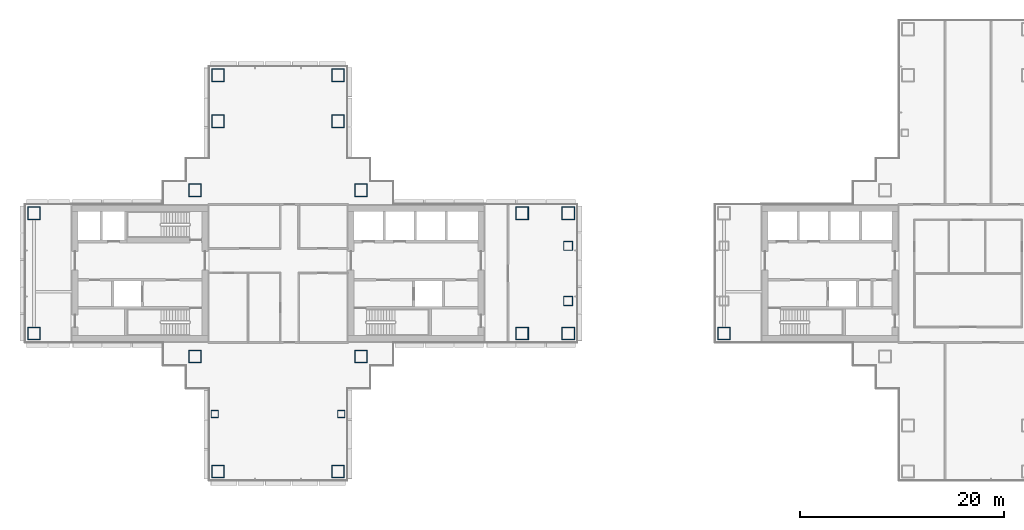
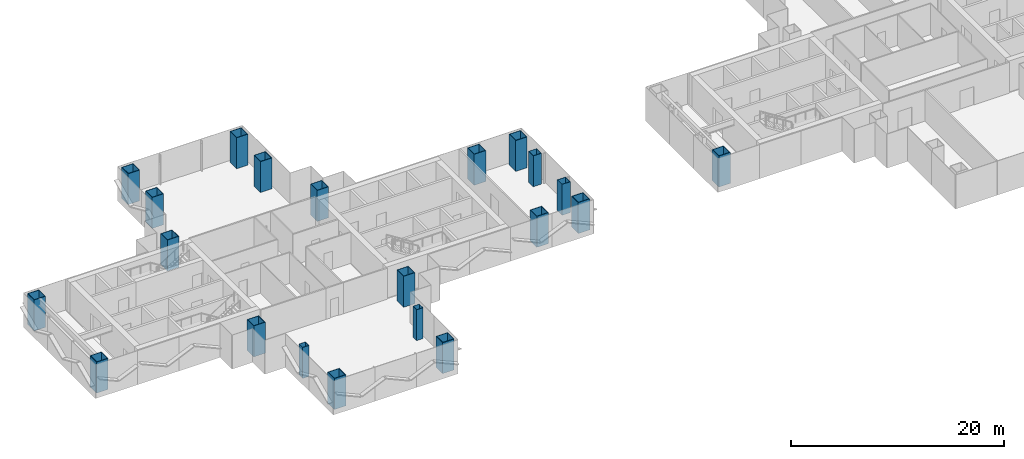
# One storey, part 1 of 18: 21 columns.
"""IFC4 building model written with IfcOpenShell, lengths in metres."""

import ifcopenshell
import ifcopenshell.guid

model = None  # the IFC model being written
_history = None  # IfcOwnerHistory: only IFC2X3 demands one
_inside = {}  # id of a spatial element -> (the spatial element, [elements in it])
_under = {}  # id of a project, library or spatial element -> (it, [spatial elements below it])
_declared = {}  # id of a project -> (the project, [libraries it declares])
_typed = {}  # id of a type object -> (the type object, [elements of that type])
_made_of = {}  # id of a material, layer set ... -> (it, [elements and type objects made of it])


def new_model(schema):
    """Start an empty IFC model of exactly this schema.

    Asked for "IFC4X3", IfcOpenShell would pick the latest addendum, in which some entities
    have other attributes; the version numbers below select the first issue.
    IFC2X3 requires an IfcOwnerHistory on every rooted entity: one is made here for all.
    """
    global model, _history
    if schema == "IFC4X3":
        model = ifcopenshell.file(schema_version=(4, 3, 0, 0))
    else:
        model = ifcopenshell.file(schema=schema)
    _inside.clear()
    _under.clear()
    _declared.clear()
    _typed.clear()
    _made_of.clear()
    _history = None
    if model.schema == "IFC2X3":
        org = make("IfcOrganization", Name="unknown")
        user = make(
            "IfcPersonAndOrganization",
            ThePerson=make("IfcPerson", FamilyName="unknown"),
            TheOrganization=org,
        )
        app = make(
            "IfcApplication",
            ApplicationDeveloper=org,
            Version="unknown",
            ApplicationFullName="unknown",
            ApplicationIdentifier="unknown",
        )
        _history = make(
            "IfcOwnerHistory",
            OwningUser=user,
            OwningApplication=app,
            ChangeAction="ADDED",
            CreationDate=0,
        )
    return model


def make(cls, **values):
    """One entity of the class cls with the attributes given. An attribute that is None is left unset."""
    return model.create_entity(
        cls, **{name: value for name, value in values.items() if value is not None}
    )


def rooted(cls, **values):
    """An entity with a GlobalId (a new one), such as an element, a storey or a relation."""
    return make(cls, GlobalId=ifcopenshell.guid.new(), OwnerHistory=_history, **values)


def si_unit(unit_type, name, prefix=None):
    """IfcSIUnit, for example si_unit("LENGTHUNIT", "METRE", prefix="MILLI")."""
    return make("IfcSIUnit", UnitType=unit_type, Prefix=prefix, Name=name)


def assignment(units):
    """IfcUnitAssignment: the units of a project."""
    return None if units is None else make("IfcUnitAssignment", Units=units)


def point(xyz):
    """IfcCartesianPoint."""
    return None if xyz is None else make("IfcCartesianPoint", Coordinates=xyz)


def direction(xyz):
    """IfcDirection."""
    return None if xyz is None else make("IfcDirection", DirectionRatios=xyz)


def frame(location, z_axis=None, x_axis=None):
    """IfcAxis2Placement3D, a coordinate frame: its origin and axes. An axis left out is left unset."""
    return make(
        "IfcAxis2Placement3D",
        Location=point(location),
        Axis=direction(z_axis),
        RefDirection=direction(x_axis),
    )


def frame_2d(location, x_axis=None):
    """IfcAxis2Placement2D, a coordinate frame in the plane: its origin and x axis."""
    return make(
        "IfcAxis2Placement2D", Location=point(location), RefDirection=direction(x_axis)
    )


def origin():
    """The frame at (0, 0, 0) with its axes left unset."""
    return frame((0.0, 0.0, 0.0))


def origin_2d():
    """The frame at (0, 0) in the plane with its x axis left unset."""
    return frame_2d((0.0, 0.0))


def place(relative_to, where):
    """IfcLocalPlacement: puts the frame where relative to a parent placement (None: the world)."""
    return make(
        "IfcLocalPlacement", PlacementRelTo=relative_to, RelativePlacement=where
    )


def context(
    kind, dimensions, precision=None, world=None, true_north=None, identifier=None
):
    """IfcGeometricRepresentationContext, for example the 3D "Model" context."""
    return make(
        "IfcGeometricRepresentationContext",
        ContextIdentifier=identifier,
        ContextType=kind,
        CoordinateSpaceDimension=dimensions,
        Precision=precision,
        WorldCoordinateSystem=world,
        TrueNorth=true_north,
    )


def subcontext(parent, identifier, kind, view, scale=None):
    """IfcGeometricRepresentationSubContext, for example "Body" below "Model"."""
    return make(
        "IfcGeometricRepresentationSubContext",
        ContextIdentifier=identifier,
        ContextType=kind,
        ParentContext=parent,
        TargetScale=scale,
        TargetView=view,
    )


def project(units=None, contexts=None):
    """IfcProject with its units and contexts."""
    return rooted(
        "IfcProject",
        Name="project",
        RepresentationContexts=contexts,
        UnitsInContext=assignment(units),
    )


def spatial(cls, under=None, at=None, **own):
    """A site, building, storey or space (cls), placed at a placement, below another one or the project."""
    s = rooted(cls, ObjectPlacement=at, **own)
    if under is not None:
        _under.setdefault(under.id(), (under, []))[1].append(s)
    return s


def profile(cls, at=None, kind="AREA", **sizes):
    """A parametric profile (cls). Its sizes go by their IFC names, for example OverallWidth=200.0."""
    return make(cls, ProfileType=kind, Position=at, **sizes)


def hollow_rectangle(**sizes):
    """IfcRectangleHollowProfileDef."""
    return profile("IfcRectangleHollowProfileDef", **sizes)


def extrude(swept, where, along, depth):
    """IfcExtrudedAreaSolid: the profile swept, set in the frame where, extruded along a direction by depth."""
    return make(
        "IfcExtrudedAreaSolid",
        SweptArea=swept,
        Position=where,
        ExtrudedDirection=direction(along),
        Depth=depth,
    )


def shape(context_of_items, identifier, shape_type, items):
    """IfcShapeRepresentation: the items that make up one representation, for example the "Body"."""
    return make(
        "IfcShapeRepresentation",
        ContextOfItems=context_of_items,
        RepresentationIdentifier=identifier,
        RepresentationType=shape_type,
        Items=items,
    )


def material(Name=None, Category=None):
    """IfcMaterial."""
    return make("IfcMaterial", Name=Name, Category=Category)


def material_profile(
    of_material, cross_section, Name=None, Category=None, Priority=None
):
    """IfcMaterialProfile: a cross section and its material."""
    return make(
        "IfcMaterialProfile",
        Name=Name,
        Material=of_material,
        Profile=cross_section,
        Priority=Priority,
        Category=Category,
    )


def profile_set(profiles, Name=None, composite=None):
    """IfcMaterialProfileSet."""
    return make(
        "IfcMaterialProfileSet",
        Name=Name,
        MaterialProfiles=profiles,
        CompositeProfile=composite,
    )


def made_of(thing, what):
    """Note that an element or type object is made of a material, layer set ...; save() writes the relation."""
    if what is not None:
        _made_of.setdefault(what.id(), (what, []))[1].append(thing)
    return thing


def type_object(cls, material=None, **own):
    """A type object (cls), such as IfcWallType, which elements share."""
    return made_of(rooted(cls, **own), material)


def element(
    cls,
    number,
    at=None,
    inside=None,
    cuts=None,
    type_object=None,
    material=None,
    context=None,
    identifier="Body",
    shape_type=None,
    held_by="IfcProductDefinitionShape",
    body=None,
    shapes=None,
    **own,
):
    """One element of the class cls, such as IfcWall. Its Tag is "e" and its number.

    at: its placement. inside: the storey or other place that contains it. cuts: it is an
    opening in that element (IfcRelVoidsElement). A single representation is given by context,
    identifier, shape_type and body (its items); several are given by shapes. held_by: the class
    of the entity that holds the representations. save() writes the other relations.
    """
    e = rooted(cls, Tag="e%d" % number, ObjectPlacement=at, **own)
    if body is not None:
        shapes = [shape(context, identifier, shape_type, body)]
    if shapes is not None:
        e.Representation = make(held_by, Representations=shapes)
    if inside is not None:
        _inside.setdefault(inside.id(), (inside, []))[1].append(e)
    if cuts is not None:
        rooted(
            "IfcRelVoidsElement", RelatingBuildingElement=cuts, RelatedOpeningElement=e
        )
    if type_object is not None:
        _typed.setdefault(type_object.id(), (type_object, []))[1].append(e)
    return made_of(e, material)


def aggregate(whole, parts):
    """IfcRelAggregates: a whole, such as a stair, and the parts it consists of."""
    return rooted("IfcRelAggregates", RelatingObject=whole, RelatedObjects=parts)


def save(model, path):
    """Write the relations noted so far, then the file.

    IfcRelAggregates (storeys below a building ...), IfcRelContainedInSpatialStructure (elements
    in a storey), IfcRelDefinesByType, IfcRelAssociatesMaterial and IfcRelDeclares: one each for
    every whole, place, type object, material and project.
    """
    for whole, parts in _under.values():
        aggregate(whole, parts)
    for where, things in _inside.values():
        rooted(
            "IfcRelContainedInSpatialStructure",
            RelatedElements=things,
            RelatingStructure=where,
        )
    for kind, things in _typed.values():
        rooted("IfcRelDefinesByType", RelatedObjects=things, RelatingType=kind)
    for what, things in _made_of.values():
        rooted("IfcRelAssociatesMaterial", RelatedObjects=things, RelatingMaterial=what)
    for by, libraries in _declared.values():
        rooted("IfcRelDeclares", RelatingContext=by, RelatedDefinitions=libraries)
    model.write(path)


model = new_model("IFC4")

# Units and contexts
model_context = context("Model", 3, precision=1e-05, world=origin(), true_north=direction((0.0, 1.0)))
body_context = subcontext(model_context, "Body", "Model", "MODEL_VIEW")
ifc_project = project(units=[si_unit("LENGTHUNIT", "METRE"), si_unit("AREAUNIT", "SQUARE_METRE"), si_unit("VOLUMEUNIT", "CUBIC_METRE"), si_unit("PLANEANGLEUNIT", "RADIAN"), si_unit("MASSUNIT", "GRAM", prefix="KILO")], contexts=[model_context])

# Site, building, storey
site_placement = place(None, origin())
site = spatial("IfcSite", under=ifc_project, at=site_placement, CompositionType="ELEMENT")
building_placement = place(site_placement, origin())
building = spatial("IfcBuilding", under=site, at=building_placement, Name="Shamsa Quay Exchange Towers", CompositionType="ELEMENT")
storey_placement = place(building_placement, frame((0.0, 0.0, 113.10009765625)))
storey = spatial("IfcBuildingStorey", under=building, at=storey_placement, Name="L26", CompositionType="ELEMENT", Elevation=113.10009765625)

# Columns
ifc_material_1 = material(Name="Concrete-filled steel tube S355 / C80/95", Category="concrete")
ifc_material_profile_1 = material_profile(ifc_material_1, hollow_rectangle(XDim=1.25, YDim=1.25, WallThickness=0.050048828125, at=origin_2d()), Name="CFT 1250x1250x50")
ifc_profile_set_1 = profile_set([ifc_material_profile_1], Name="Concrete-filled steel tube S355 / C80/95")
column_type_1 = type_object("IfcColumnType", Name="Column CFT 1250x1250x50", PredefinedType="COLUMN", material=ifc_profile_set_1)
for number, where, name in (
    (1, (-25.625, 8.125, 0.0), "Mega column T1-CM01"),
    (2, (-25.625, -8.125, 0.0), "Mega column T1-CM02"),
    (3, (-41.875, 8.125, 0.0), "Mega column T1-CM03"),
    (4, (-41.875, -8.125, 0.0), "Mega column T1-CM04"),
    (5, (-9.875, -5.875, 0.0), "Mega column T1-CM05"),
    (6, (-5.375, -5.875, 0.0), "Mega column T1-CM06"),
    (7, (-9.875, 5.875, 0.0), "Mega column T1-CM07"),
    (8, (-5.375, 5.875, 0.0), "Mega column T1-CM08"),
    (9, (-57.625, -5.875, 0.0), "Mega column T1-CM09"),
    (10, (-57.625, 5.875, 0.0), "Mega column T1-CM11"),
    (11, (-39.625, 14.875, 0.0), "Mega column T1-CM13"),
    (12, (-39.625, 19.375, 0.0), "Mega column T1-CM14"),
    (13, (-27.875, 14.875, 0.0), "Mega column T1-CM16"),
    (14, (-27.875, 19.375, 0.0), "Mega column T1-CM17"),
    (15, (-39.625, -19.375, 0.0), "Mega column T1-CM20"),
    (16, (-27.875, -19.375, 0.0), "Mega column T1-CM23"),
    (17, (9.875, -5.875, 0.0), "Mega column T2-CM19"),
):
    element("IfcColumn", number, at=place(storey_placement, frame(where)), inside=storey, type_object=column_type_1, Name=name, PredefinedType="COLUMN", context=body_context, shape_type="SweptSolid", body=[
        extrude(hollow_rectangle(XDim=1.25, YDim=1.25, WallThickness=0.050048828125, at=origin_2d()), origin(), (0.0, 0.0, 1.0), 3.5498046875),
    ])
ifc_material_2 = material(Name="Concrete-filled steel tube S355 / C60/75", Category="concrete")
ifc_material_profile_2 = material_profile(ifc_material_2, hollow_rectangle(XDim=0.699951171875, YDim=0.699951171875, WallThickness=0.02490234375, at=origin_2d()), Name="CFT 700x700x25")
ifc_profile_set_2 = profile_set([ifc_material_profile_2], Name="Concrete-filled steel tube S355 / C60/75")
column_type_2 = type_object("IfcColumnType", Name="Column CFT 700x700x25", PredefinedType="COLUMN", material=ifc_profile_set_2)
for number, where, name in (
    (18, (-39.9375, -13.75, 0.0), "Perimeter column T1-CP19"),
    (19, (-27.5625, -13.75, 0.0), "Perimeter column T1-CP22"),
):
    element("IfcColumn", number, at=place(storey_placement, frame(where)), inside=storey, type_object=column_type_2, Name=name, PredefinedType="COLUMN", context=body_context, shape_type="SweptSolid", body=[
        extrude(hollow_rectangle(XDim=0.699951171875, YDim=0.699951171875, WallThickness=0.02490234375, at=origin_2d()), origin(), (0.0, 0.0, 1.0), 3.5498046875),
    ])
ifc_material_3 = material(Name="Concrete-filled steel tube S355 / C70/85", Category="concrete")
ifc_material_profile_3 = material_profile(ifc_material_3, hollow_rectangle(XDim=0.89990234375, YDim=0.89990234375, WallThickness=0.035888671875, at=origin_2d()), Name="CFT 900x900x36")
ifc_profile_set_3 = profile_set([ifc_material_profile_3], Name="Concrete-filled steel tube S355 / C70/85")
column_type_3 = type_object("IfcColumnType", Name="Landing column CFT 900x900x36", PredefinedType="COLUMN", material=ifc_profile_set_3)
for number, where, name in (
    (20, (-5.375, -2.699951171875, 0.0), "Landing column T1 S"),
    (21, (-5.375, 2.699951171875, 0.0), "Landing column T1 N"),
):
    element("IfcColumn", number, at=place(storey_placement, frame(where)), inside=storey, type_object=column_type_3, Name=name, PredefinedType="COLUMN", context=body_context, shape_type="SweptSolid", body=[
        extrude(hollow_rectangle(XDim=0.89990234375, YDim=0.89990234375, WallThickness=0.035888671875, at=origin_2d()), origin(), (0.0, 0.0, 1.0), 3.5498046875),
    ])

save(model, "model.ifc")
